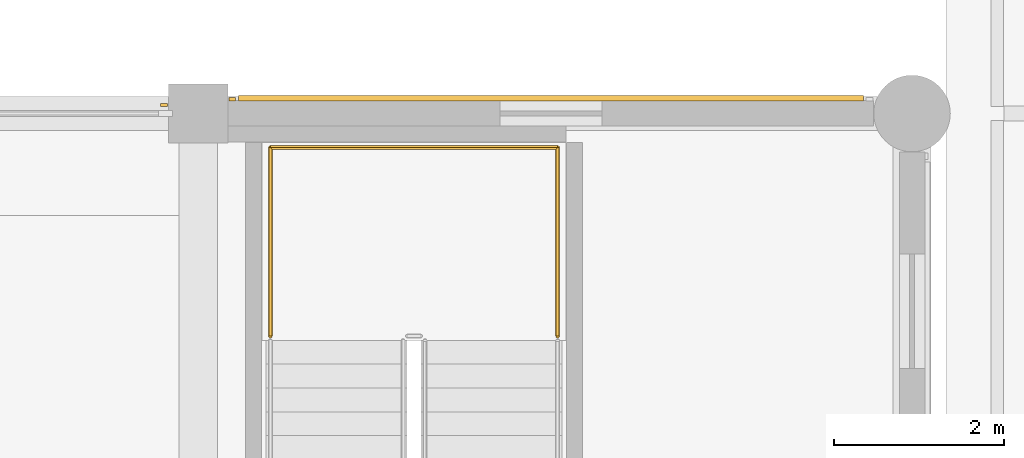
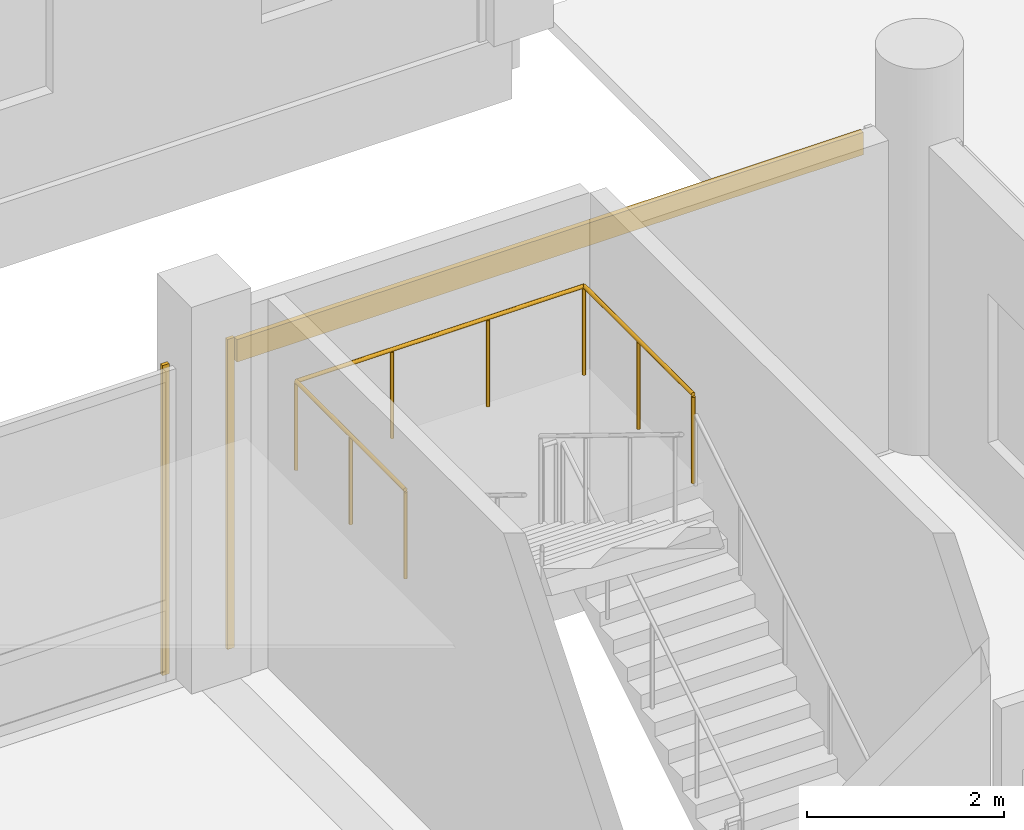
# One storey, part 119 of 128: 3 coverings, 1 railing.
"""IFC4 building model written with IfcOpenShell, lengths in metres."""

import ifcopenshell
import ifcopenshell.guid

model = None  # the IFC model being written
_history = None  # IfcOwnerHistory: only IFC2X3 demands one
_inside = {}  # id of a spatial element -> (the spatial element, [elements in it])
_under = {}  # id of a project, library or spatial element -> (it, [spatial elements below it])
_declared = {}  # id of a project -> (the project, [libraries it declares])
_typed = {}  # id of a type object -> (the type object, [elements of that type])
_made_of = {}  # id of a material, layer set ... -> (it, [elements and type objects made of it])


def new_model(schema):
    """Start an empty IFC model of exactly this schema.

    Asked for "IFC4X3", IfcOpenShell would pick the latest addendum, in which some entities
    have other attributes; the version numbers below select the first issue.
    IFC2X3 requires an IfcOwnerHistory on every rooted entity: one is made here for all.
    """
    global model, _history
    if schema == "IFC4X3":
        model = ifcopenshell.file(schema_version=(4, 3, 0, 0))
    else:
        model = ifcopenshell.file(schema=schema)
    _inside.clear()
    _under.clear()
    _declared.clear()
    _typed.clear()
    _made_of.clear()
    _history = None
    if model.schema == "IFC2X3":
        org = make("IfcOrganization", Name="unknown")
        user = make(
            "IfcPersonAndOrganization",
            ThePerson=make("IfcPerson", FamilyName="unknown"),
            TheOrganization=org,
        )
        app = make(
            "IfcApplication",
            ApplicationDeveloper=org,
            Version="unknown",
            ApplicationFullName="unknown",
            ApplicationIdentifier="unknown",
        )
        _history = make(
            "IfcOwnerHistory",
            OwningUser=user,
            OwningApplication=app,
            ChangeAction="ADDED",
            CreationDate=0,
        )
    return model


def make(cls, **values):
    """One entity of the class cls with the attributes given. An attribute that is None is left unset."""
    return model.create_entity(
        cls, **{name: value for name, value in values.items() if value is not None}
    )


def rooted(cls, **values):
    """An entity with a GlobalId (a new one), such as an element, a storey or a relation."""
    return make(cls, GlobalId=ifcopenshell.guid.new(), OwnerHistory=_history, **values)


def si_unit(unit_type, name, prefix=None):
    """IfcSIUnit, for example si_unit("LENGTHUNIT", "METRE", prefix="MILLI")."""
    return make("IfcSIUnit", UnitType=unit_type, Prefix=prefix, Name=name)


def assignment(units):
    """IfcUnitAssignment: the units of a project."""
    return None if units is None else make("IfcUnitAssignment", Units=units)


def point(xyz):
    """IfcCartesianPoint."""
    return None if xyz is None else make("IfcCartesianPoint", Coordinates=xyz)


def direction(xyz):
    """IfcDirection."""
    return None if xyz is None else make("IfcDirection", DirectionRatios=xyz)


def frame(location, z_axis=None, x_axis=None):
    """IfcAxis2Placement3D, a coordinate frame: its origin and axes. An axis left out is left unset."""
    return make(
        "IfcAxis2Placement3D",
        Location=point(location),
        Axis=direction(z_axis),
        RefDirection=direction(x_axis),
    )


def frame_2d(location, x_axis=None):
    """IfcAxis2Placement2D, a coordinate frame in the plane: its origin and x axis."""
    return make(
        "IfcAxis2Placement2D", Location=point(location), RefDirection=direction(x_axis)
    )


def origin():
    """The frame at (0, 0, 0) with its axes left unset."""
    return frame((0.0, 0.0, 0.0))


def origin_2d():
    """The frame at (0, 0) in the plane with its x axis left unset."""
    return frame_2d((0.0, 0.0))


def place(relative_to, where):
    """IfcLocalPlacement: puts the frame where relative to a parent placement (None: the world)."""
    return make(
        "IfcLocalPlacement", PlacementRelTo=relative_to, RelativePlacement=where
    )


def context(
    kind, dimensions, precision=None, world=None, true_north=None, identifier=None
):
    """IfcGeometricRepresentationContext, for example the 3D "Model" context."""
    return make(
        "IfcGeometricRepresentationContext",
        ContextIdentifier=identifier,
        ContextType=kind,
        CoordinateSpaceDimension=dimensions,
        Precision=precision,
        WorldCoordinateSystem=world,
        TrueNorth=true_north,
    )


def subcontext(parent, identifier, kind, view, scale=None):
    """IfcGeometricRepresentationSubContext, for example "Body" below "Model"."""
    return make(
        "IfcGeometricRepresentationSubContext",
        ContextIdentifier=identifier,
        ContextType=kind,
        ParentContext=parent,
        TargetScale=scale,
        TargetView=view,
    )


def project(units=None, contexts=None):
    """IfcProject with its units and contexts."""
    return rooted(
        "IfcProject",
        Name="project",
        RepresentationContexts=contexts,
        UnitsInContext=assignment(units),
    )


def spatial(cls, under=None, at=None, **own):
    """A site, building, storey or space (cls), placed at a placement, below another one or the project."""
    s = rooted(cls, ObjectPlacement=at, **own)
    if under is not None:
        _under.setdefault(under.id(), (under, []))[1].append(s)
    return s


def profile(cls, at=None, kind="AREA", **sizes):
    """A parametric profile (cls). Its sizes go by their IFC names, for example OverallWidth=200.0."""
    return make(cls, ProfileType=kind, Position=at, **sizes)


def rectangle(**sizes):
    """IfcRectangleProfileDef."""
    return profile("IfcRectangleProfileDef", **sizes)


def circle(**sizes):
    """IfcCircleProfileDef."""
    return profile("IfcCircleProfileDef", **sizes)


def extrude(swept, where, along, depth):
    """IfcExtrudedAreaSolid: the profile swept, set in the frame where, extruded along a direction by depth."""
    return make(
        "IfcExtrudedAreaSolid",
        SweptArea=swept,
        Position=where,
        ExtrudedDirection=direction(along),
        Depth=depth,
    )


def shape(context_of_items, identifier, shape_type, items):
    """IfcShapeRepresentation: the items that make up one representation, for example the "Body"."""
    return make(
        "IfcShapeRepresentation",
        ContextOfItems=context_of_items,
        RepresentationIdentifier=identifier,
        RepresentationType=shape_type,
        Items=items,
    )


def material(Name=None, Category=None):
    """IfcMaterial."""
    return make("IfcMaterial", Name=Name, Category=Category)


def layer(
    of_material, thickness, ventilated=None, Name=None, Category=None, Priority=None
):
    """IfcMaterialLayer: one layer of a wall or slab, of a material (None: an air gap)."""
    return make(
        "IfcMaterialLayer",
        Material=of_material,
        LayerThickness=thickness,
        IsVentilated=ventilated,
        Name=Name,
        Category=Category,
        Priority=Priority,
    )


def layer_set(layers, Name=None):
    """IfcMaterialLayerSet."""
    return make("IfcMaterialLayerSet", MaterialLayers=layers, LayerSetName=Name)


def made_of(thing, what):
    """Note that an element or type object is made of a material, layer set ...; save() writes the relation."""
    if what is not None:
        _made_of.setdefault(what.id(), (what, []))[1].append(thing)
    return thing


def type_object(cls, material=None, **own):
    """A type object (cls), such as IfcWallType, which elements share."""
    return made_of(rooted(cls, **own), material)


def element(
    cls,
    number,
    at=None,
    inside=None,
    cuts=None,
    type_object=None,
    material=None,
    context=None,
    identifier="Body",
    shape_type=None,
    held_by="IfcProductDefinitionShape",
    body=None,
    shapes=None,
    **own,
):
    """One element of the class cls, such as IfcWall. Its Tag is "e" and its number.

    at: its placement. inside: the storey or other place that contains it. cuts: it is an
    opening in that element (IfcRelVoidsElement). A single representation is given by context,
    identifier, shape_type and body (its items); several are given by shapes. held_by: the class
    of the entity that holds the representations. save() writes the other relations.
    """
    e = rooted(cls, Tag="e%d" % number, ObjectPlacement=at, **own)
    if body is not None:
        shapes = [shape(context, identifier, shape_type, body)]
    if shapes is not None:
        e.Representation = make(held_by, Representations=shapes)
    if inside is not None:
        _inside.setdefault(inside.id(), (inside, []))[1].append(e)
    if cuts is not None:
        rooted(
            "IfcRelVoidsElement", RelatingBuildingElement=cuts, RelatedOpeningElement=e
        )
    if type_object is not None:
        _typed.setdefault(type_object.id(), (type_object, []))[1].append(e)
    return made_of(e, material)


def aggregate(whole, parts):
    """IfcRelAggregates: a whole, such as a stair, and the parts it consists of."""
    return rooted("IfcRelAggregates", RelatingObject=whole, RelatedObjects=parts)


def save(model, path):
    """Write the relations noted so far, then the file.

    IfcRelAggregates (storeys below a building ...), IfcRelContainedInSpatialStructure (elements
    in a storey), IfcRelDefinesByType, IfcRelAssociatesMaterial and IfcRelDeclares: one each for
    every whole, place, type object, material and project.
    """
    for whole, parts in _under.values():
        aggregate(whole, parts)
    for where, things in _inside.values():
        rooted(
            "IfcRelContainedInSpatialStructure",
            RelatedElements=things,
            RelatingStructure=where,
        )
    for kind, things in _typed.values():
        rooted("IfcRelDefinesByType", RelatedObjects=things, RelatingType=kind)
    for what, things in _made_of.values():
        rooted("IfcRelAssociatesMaterial", RelatedObjects=things, RelatingMaterial=what)
    for by, libraries in _declared.values():
        rooted("IfcRelDeclares", RelatingContext=by, RelatedDefinitions=libraries)
    model.write(path)


model = new_model("IFC4")

# Units and contexts
model_context = context("Model", 3, precision=1e-05, world=origin(), true_north=direction((0.0, 1.0)))
body_context = subcontext(model_context, "Body", "Model", "MODEL_VIEW")
ifc_project = project(units=[si_unit("LENGTHUNIT", "METRE"), si_unit("AREAUNIT", "SQUARE_METRE"), si_unit("VOLUMEUNIT", "CUBIC_METRE"), si_unit("PLANEANGLEUNIT", "RADIAN"), si_unit("MASSUNIT", "GRAM", prefix="KILO")], contexts=[model_context])

# Site, building, storey
site_placement = place(None, origin())
site = spatial("IfcSite", under=ifc_project, at=site_placement, CompositionType="ELEMENT")
building_placement = place(site_placement, origin())
building = spatial("IfcBuilding", under=site, at=building_placement, Name="Telukmera Botanical Conservatory", CompositionType="ELEMENT")
storey_placement = place(building_placement, frame((0.0, 0.0, 5.39990234375)))
storey = spatial("IfcBuildingStorey", under=building, at=storey_placement, Name="L01", CompositionType="ELEMENT", Elevation=5.39990234375)

# Coverings
ifc_material_1 = material(Name="Granite-faced precast concrete C40/50", Category="masonry")
ifc_layer_1 = layer(ifc_material_1, 0.0400390625)
ifc_layer_set_1 = layer_set([ifc_layer_1], Name="Granite-faced precast concrete C40/50")
covering_type_1 = type_object("IfcCoveringType", Name="Granite Precast Column Pier Reveal Casing", PredefinedType="CLADDING", material=ifc_layer_set_1)
for number, where, z_axis, x_axis, name in (
    (1, (33.197998046875, 74.89990234375, 0.0), (0.0, 0.0, 1.0), (1.0, 0.0, 0.0), "Granite Pier Reveal V3:L01:N3 R"),
    (2, (34.001953125, 74.969970703125, 0.0), (0.0, 0.0, 1.0), (1.0, 0.0, 0.0), "Granite Pier Reveal V3:L01:N4 L"),
):
    element("IfcCovering", number, at=place(storey_placement, frame(where, z_axis=z_axis, x_axis=x_axis)), inside=storey, type_object=covering_type_1, Name=name, PredefinedType="CLADDING", context=body_context, shape_type="SweptSolid", body=[
        extrude(rectangle(XDim=0.080078125, YDim=0.0400390625, at=origin_2d()), origin(), (0.0, 0.0, 1.0), 3.85009765625),
    ])
ifc_material_2 = material(Name="Terracotta-faced precast concrete C40/50", Category="masonry")
ifc_layer_2 = layer(ifc_material_2, 0.06005859375)
ifc_layer_set_2 = layer_set([ifc_layer_2], Name="Terracotta-faced precast concrete C40/50")
covering_type_2 = type_object("IfcCoveringType", Name="Polychrome Terracotta Facade Band Cladding", PredefinedType="CLADDING", material=ifc_layer_set_2)
covering_placement = place(storey_placement, frame((37.75, 74.97998046875, 3.5302734375), z_axis=(0.0, 0.0, 1.0), x_axis=(1.0, 0.0, 0.0)))
element("IfcCovering", 3, at=covering_placement, inside=storey, type_object=covering_type_2, Name="Polychrome Terracotta Band V3:L01:N4", PredefinedType="CLADDING", context=body_context, shape_type="SweptSolid", body=[
    extrude(rectangle(XDim=7.35595703125, YDim=0.06005859375, at=origin_2d()), origin(), (0.0, 0.0, 1.0), 0.280029296875),
])

# Railing
ifc_material_3 = material(Name="Steel S355", Category="steel")
railing_type = type_object("IfcRailingType", Name="RL-GUARD-1100", PredefinedType="GUARDRAIL", material=ifc_material_3)
railing_placement = place(storey_placement, frame((37.830078125, 72.179931640625, 2.400146484375)))
element("IfcRailing", 4, at=railing_placement, inside=storey, type_object=railing_type, Name="L01 ST4 half-landing perimeter guard 1", PredefinedType="GUARDRAIL", context=body_context, shape_type="SweptSolid", body=[
    extrude(circle(Radius=0.02392578125, at=origin_2d()), frame((0.0, 0.0, 1.09619140625), z_axis=(0.0, 1.0, 0.0), x_axis=(-1.0, 0.0, 0.0)), (0.0, 0.0, 1.0), 2.219970703125),
    extrude(circle(Radius=0.02392578125, at=origin_2d()), frame((0.0, 2.219970703125, 1.09619140625), z_axis=(-1.0, 0.0, 0.0), x_axis=(0.0, -1.0, 0.0)), (0.0, 0.0, 1.0), 3.380126953125),
    extrude(circle(Radius=0.02392578125, at=origin_2d()), frame((-3.380126953125, 2.219970703125, 1.09619140625), z_axis=(0.0, -1.0, 0.0), x_axis=(1.0, 0.0, 0.0)), (0.0, 0.0, 1.0), 2.219970703125),
    extrude(circle(Radius=0.02099609375, at=origin_2d()), origin(), (0.0, 0.0, 1.0), 1.072021484375),
    extrude(circle(Radius=0.02099609375, at=origin_2d()), frame((0.0, 1.10986328125, 0.0)), (0.0, 0.0, 1.0), 1.072021484375),
    extrude(circle(Radius=0.02099609375, at=origin_2d()), frame((0.0, 2.219970703125, 0.0)), (0.0, 0.0, 1.0), 1.072021484375),
    extrude(circle(Radius=0.02099609375, at=origin_2d()), frame((-1.126708984375, 2.219970703125, 0.0)), (0.0, 0.0, 1.0), 1.072021484375),
    extrude(circle(Radius=0.02099609375, at=origin_2d()), frame((-2.25341796875, 2.219970703125, 0.0)), (0.0, 0.0, 1.0), 1.072021484375),
    extrude(circle(Radius=0.02099609375, at=origin_2d()), frame((-3.380126953125, 2.219970703125, 0.0)), (0.0, 0.0, 1.0), 1.072021484375),
    extrude(circle(Radius=0.02099609375, at=origin_2d()), frame((-3.380126953125, 1.10986328125, 0.0)), (0.0, 0.0, 1.0), 1.072021484375),
    extrude(circle(Radius=0.02099609375, at=origin_2d()), frame((-3.380126953125, 0.0, 0.0)), (0.0, 0.0, 1.0), 1.072021484375),
])

save(model, "model.ifc")
